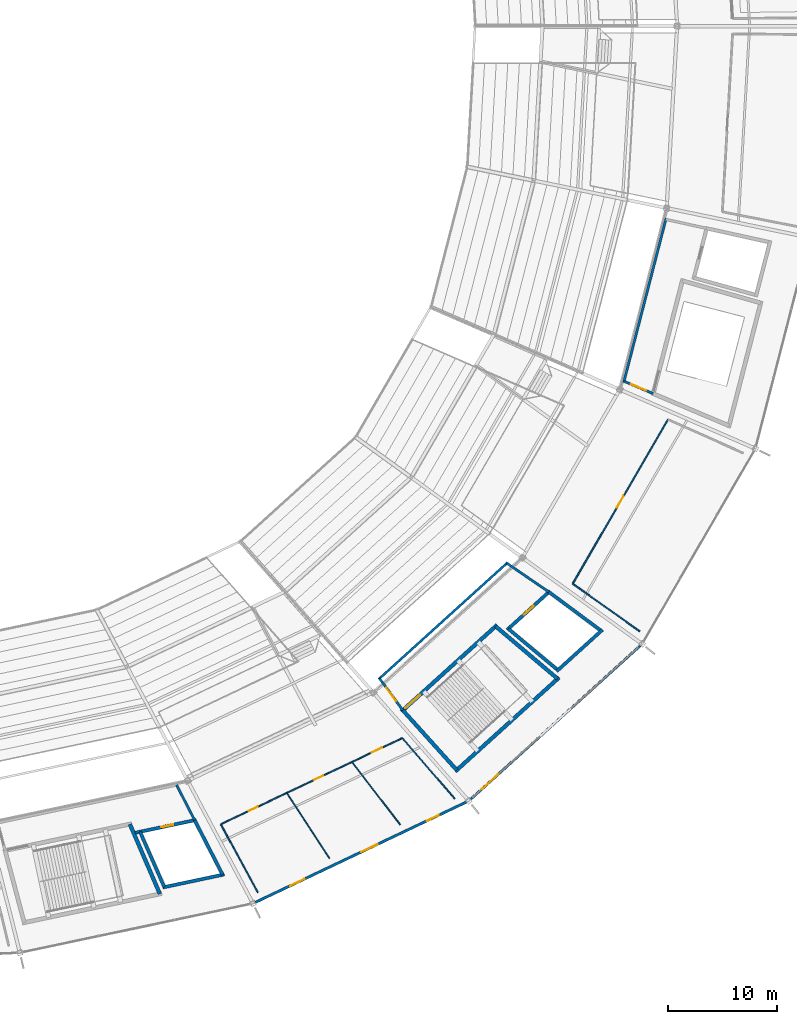
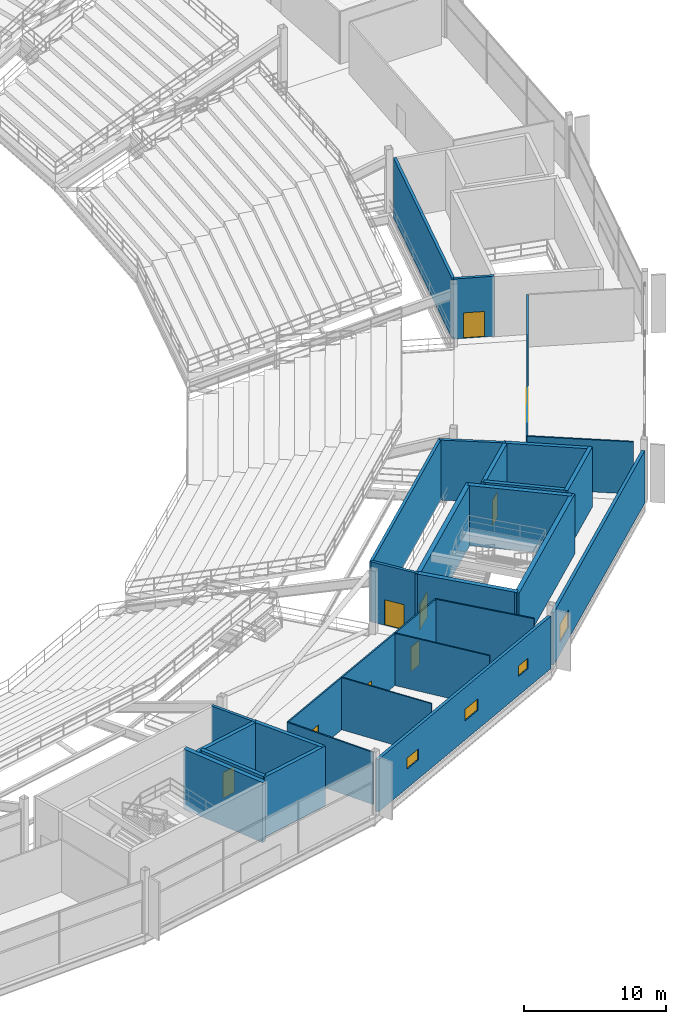
# One storey, part 128 of 186: 28 walls, 9 doors, 4 windows, 13 openings.
"""IFC4 building model written with IfcOpenShell, lengths in metres."""

from ifc_helpers import new_model, si_unit, direction, frame, frame_2d, origin, place, context, subcontext, project, spatial, rectangle, extrude, material, layer, layer_set, type_object, element, fill, save


model = new_model("IFC4")

# Units and contexts
model_context = context("Model", 3, precision=1e-05, world=origin(), true_north=direction((0.0, 1.0)))
body_context = subcontext(model_context, "Body", "Model", "MODEL_VIEW")
ifc_project = project(units=[si_unit("LENGTHUNIT", "METRE"), si_unit("AREAUNIT", "SQUARE_METRE"), si_unit("VOLUMEUNIT", "CUBIC_METRE"), si_unit("PLANEANGLEUNIT", "RADIAN"), si_unit("MASSUNIT", "GRAM", prefix="KILO")], contexts=[model_context])

# Site, building, storey
site_placement = place(None, origin())
site = spatial("IfcSite", under=ifc_project, at=site_placement, CompositionType="ELEMENT")
building_placement = place(site_placement, origin())
building = spatial("IfcBuilding", under=site, at=building_placement, Name="Kazemori Nagisa Stadium", CompositionType="ELEMENT")
storey_placement = place(building_placement, frame((0.0, 0.0, 20.39990234375)))
storey = spatial("IfcBuildingStorey", under=building, at=storey_placement, Name="L04", CompositionType="ELEMENT", Elevation=20.39990234375)

# Wall
ifc_material_1 = material(Name="Concrete C40/50 (Fc42)", Category="concrete")
ifc_layer_1 = layer(ifc_material_1, 0.35009765625, Name="Concrete C40/50 (Fc42)", Category="concrete")
ifc_layer_set_1 = layer_set([ifc_layer_1], Name="Concrete C40/50 (Fc42)")
wall_type_1 = type_object("IfcWallType", Name="Wall_W-CORE-350", PredefinedType="SHEAR", material=ifc_layer_set_1)
wall_1_placement = place(storey_placement, frame((154.5078125, 28.81396484375, 0.0), z_axis=(0.0, 0.0, 1.0), x_axis=(0.395453834155, -0.918485854574, 0.0)))
element("IfcWall", 1, at=wall_1_placement, inside=storey, type_object=wall_type_1, Name="Core stair right shear wall ST06 L04", PredefinedType="SHEAR", context=body_context, shape_type="SweptSolid", body=[
    extrude(rectangle(XDim=6.967529296875, YDim=0.35009765625, at=frame_2d((3.48388671875, 0.0))), origin(), (0.0, 0.0, 1.0), 5.18017578125),
])

# Wall, opening, door
wall_2_placement = place(storey_placement, frame((179.416748046875, 39.139892578125, 0.0), z_axis=(0.0, 0.0, 1.0), x_axis=(0.741348929385, 0.671119784315, 0.0)))
wall_2 = element("IfcWall", 2, at=wall_2_placement, inside=storey, type_object=wall_type_1, Name="Core stair front shear wall ST04 L04", PredefinedType="SHEAR", context=body_context, shape_type="SweptSolid", body=[
    extrude(rectangle(XDim=11.826416015625, YDim=0.35009765625, at=frame_2d((5.9130859375, 0.0))), origin(), (0.0, 0.0, 1.0), 5.18017578125),
])
opening_1_placement = place(wall_2_placement, frame((0.47509765625, 0.0, 0.0)))
opening_1 = element("IfcOpeningElement", 3, at=opening_1_placement, cuts=wall_2, Name="Opening D-ST-1800", PredefinedType="OPENING", context=body_context, shape_type="SweptSolid", body=[
    extrude(rectangle(XDim=1.800048828125, YDim=2.199951171875, at=frame_2d((0.89990234375, 1.10009765625))), frame((0.0, 0.18505859375, 0.0), z_axis=(0.0, -1.0, 0.0), x_axis=(1.0, 0.0, 0.0)), (0.0, 0.0, 1.0), 0.3701171875),
])
ifc_material_2 = material(Name="Galvanised steel sheet", Category="steel")
door_type_1 = type_object("IfcDoorType", Name="Door_D-ST-1800", OperationType="NOTDEFINED", PredefinedType="DOOR", material=ifc_material_2)
door_1_placement = place(opening_1_placement, frame((1.800048828125, 0.0, 0.0), z_axis=(0.0, 0.0, 1.0), x_axis=(-1.0, 0.0, 0.0)))
door_1 = element("IfcDoor", 4, at=door_1_placement, inside=storey, type_object=door_type_1, Name="Exit stair fire door ST04-L04", OperationType="SINGLE_SWING_LEFT", OverallHeight=2.199951171875, OverallWidth=1.800048828125, PredefinedType="DOOR", context=body_context, shape_type="SweptSolid", body=[
    extrude(rectangle(XDim=1.800048828125, YDim=2.199951171875, at=frame_2d((0.89990234375, 1.10009765625))), frame((0.0, 0.02490234375, 0.0), z_axis=(0.0, -1.0, 0.0), x_axis=(1.0, 0.0, 0.0)), (0.0, 0.0, 1.0), 0.050048828125),
])
fill(opening_1, door_1)

# Walls
wall_3_placement = place(storey_placement, frame((184.361328125, 33.6533203125, 0.0), z_axis=(0.0, 0.0, 1.0), x_axis=(0.741351373721, 0.671117084183, 0.0)))
element("IfcWall", 5, at=wall_3_placement, inside=storey, type_object=wall_type_1, Name="Core stair rear shear wall ST04 L04", PredefinedType="SHEAR", context=body_context, shape_type="SweptSolid", body=[
    extrude(rectangle(XDim=12.830322265625, YDim=0.35009765625, at=frame_2d((6.4150390625, 0.0))), origin(), (0.0, 0.0, 1.0), 5.18017578125),
])
wall_4_placement = place(storey_placement, frame((179.54638671875, 39.25732421875, 0.0), z_axis=(0.0, 0.0, 1.0), x_axis=(0.669463145673, -0.742845270958, 0.0)))
element("IfcWall", 6, at=wall_4_placement, inside=storey, type_object=wall_type_1, Name="Core stair left shear wall ST04 L04", PredefinedType="SHEAR", context=body_context, shape_type="SweptSolid", body=[
    extrude(rectangle(XDim=7.385986328125, YDim=0.35009765625, at=frame_2d((3.69287109375, 0.0))), origin(), (0.0, 0.0, 1.0), 5.18017578125),
])
wall_5_placement = place(storey_placement, frame((188.0546875, 46.95947265625, 0.0), z_axis=(0.0, 0.0, 1.0), x_axis=(0.763422324031, -0.64589964791, 0.0)))
element("IfcWall", 7, at=wall_5_placement, inside=storey, type_object=wall_type_1, Name="Core stair right shear wall ST04 L04", PredefinedType="SHEAR", context=body_context, shape_type="SweptSolid", body=[
    extrude(rectangle(XDim=7.45166015625, YDim=0.35009765625, at=frame_2d((3.725830078125, 0.0))), origin(), (0.0, 0.0, 1.0), 5.18017578125),
])

# Wall, openings, windows
ifc_material_3 = material(Name="Steel S355 (SN490B)", Category="steel")
ifc_layer_2 = layer(ifc_material_3, 0.239990234375, Name="Steel S355 (SN490B)", Category="steel")
ifc_layer_set_2 = layer_set([ifc_layer_2], Name="Steel S355 (SN490B)")
wall_type_2 = type_object("IfcWallType", Name="Wall_W-EXT-240", PredefinedType="SOLIDWALL", material=ifc_layer_set_2)
wall_6_placement = place(storey_placement, frame((166.00341796875, 21.630126953125, 0.0), z_axis=(0.0, 0.0, 1.0), x_axis=(0.90321305417, 0.42919247288, 0.0)))
wall_6 = element("IfcWall", 8, at=wall_6_placement, inside=storey, type_object=wall_type_2, Name="Exterior facade wall L04-24", PredefinedType="SOLIDWALL", context=body_context, shape_type="SweptSolid", body=[
    extrude(rectangle(XDim=21.47412109375, YDim=0.239990234375, at=frame_2d((10.737060546875, 0.0))), origin(), (0.0, 0.0, 1.0), 4.530029296875),
])
opening_2_placement = place(wall_6_placement, frame((3.570068359375, 0.0, 1.64990234375)))
opening_2 = element("IfcOpeningElement", 9, at=opening_2_placement, cuts=wall_6, Name="Opening WIN-WC-1450", PredefinedType="OPENING", context=body_context, shape_type="SweptSolid", body=[
    extrude(rectangle(XDim=1.449951171875, YDim=0.949951171875, at=frame_2d((0.72509765625, 0.47509765625))), frame((0.0, 0.1298828125, 0.0), z_axis=(0.0, -1.0, 0.0), x_axis=(1.0, 0.0, 0.0)), (0.0, 0.0, 1.0), 0.260009765625),
])
opening_3_placement = place(wall_6_placement, frame((10.77099609375, 0.0, 1.64990234375)))
opening_3 = element("IfcOpeningElement", 10, at=opening_3_placement, cuts=wall_6, Name="Opening WIN-WC-1650", PredefinedType="OPENING", context=body_context, shape_type="SweptSolid", body=[
    extrude(rectangle(XDim=1.64990234375, YDim=1.0, at=frame_2d((0.824951171875, 0.5))), frame((0.0, 0.1298828125, 0.0), z_axis=(0.0, -1.0, 0.0), x_axis=(1.0, 0.0, 0.0)), (0.0, 0.0, 1.0), 0.260009765625),
])
opening_4_placement = place(wall_6_placement, frame((17.43798828125, 0.0, 1.64990234375)))
opening_4 = element("IfcOpeningElement", 11, at=opening_4_placement, cuts=wall_6, Name="Opening WIN-WC-1200", PredefinedType="OPENING", context=body_context, shape_type="SweptSolid", body=[
    extrude(rectangle(XDim=1.199951171875, YDim=0.89990234375, at=frame_2d((0.60009765625, 0.449951171875))), frame((0.0, 0.1298828125, 0.0), z_axis=(0.0, -1.0, 0.0), x_axis=(1.0, 0.0, 0.0)), (0.0, 0.0, 1.0), 0.260009765625),
])
ifc_material_4 = material(Name="Low-e laminated double glazing", Category="glass")
window_type_1 = type_object("IfcWindowType", Name="Window_WIN-WC-1200", PartitioningType="SINGLE_PANEL", PredefinedType="WINDOW", material=ifc_material_4)
window_1_placement = place(opening_4_placement, origin())
window_1 = element("IfcWindow", 12, at=window_1_placement, inside=storey, type_object=window_type_1, Name="Sanitary clerestory window L04-24-3", OverallHeight=0.89990234375, OverallWidth=1.199951171875, PartitioningType="SINGLE_PANEL", PredefinedType="WINDOW", context=body_context, shape_type="SweptSolid", body=[
    extrude(rectangle(XDim=1.199951171875, YDim=0.89990234375, at=frame_2d((0.60009765625, 0.449951171875))), frame((0.0, 0.030029296875, 0.0), z_axis=(0.0, -1.0, 0.0), x_axis=(1.0, 0.0, 0.0)), (0.0, 0.0, 1.0), 0.06005859375),
])
fill(opening_4, window_1)
window_type_2 = type_object("IfcWindowType", Name="Window_WIN-WC-1450", PartitioningType="SINGLE_PANEL", PredefinedType="WINDOW", material=ifc_material_4)
window_2_placement = place(opening_2_placement, origin())
window_2 = element("IfcWindow", 13, at=window_2_placement, inside=storey, type_object=window_type_2, Name="Sanitary clerestory window L04-24-1", OverallHeight=0.949951171875, OverallWidth=1.449951171875, PartitioningType="SINGLE_PANEL", PredefinedType="WINDOW", context=body_context, shape_type="SweptSolid", body=[
    extrude(rectangle(XDim=1.449951171875, YDim=0.949951171875, at=frame_2d((0.72509765625, 0.47509765625))), frame((0.0, 0.030029296875, 0.0), z_axis=(0.0, -1.0, 0.0), x_axis=(1.0, 0.0, 0.0)), (0.0, 0.0, 1.0), 0.06005859375),
])
fill(opening_2, window_2)
window_type_3 = type_object("IfcWindowType", Name="Window_WIN-WC-1650", PartitioningType="SINGLE_PANEL", PredefinedType="WINDOW", material=ifc_material_4)
window_3_placement = place(opening_3_placement, origin())
window_3 = element("IfcWindow", 14, at=window_3_placement, inside=storey, type_object=window_type_3, Name="Sanitary clerestory window L04-24-2", OverallHeight=1.0, OverallWidth=1.64990234375, PartitioningType="SINGLE_PANEL", PredefinedType="WINDOW", context=body_context, shape_type="SweptSolid", body=[
    extrude(rectangle(XDim=1.64990234375, YDim=1.0, at=frame_2d((0.824951171875, 0.5))), frame((0.0, 0.030029296875, 0.0), z_axis=(0.0, -1.0, 0.0), x_axis=(1.0, 0.0, 0.0)), (0.0, 0.0, 1.0), 0.06005859375),
])
fill(opening_3, window_3)

# Wall, opening, window
wall_7_placement = place(storey_placement, frame((185.760986328125, 31.088623046875, 0.0), z_axis=(0.0, 0.0, 1.0), x_axis=(0.741349049196, 0.671119651967, 0.0)))
wall_7 = element("IfcWall", 15, at=wall_7_placement, inside=storey, type_object=wall_type_2, Name="Exterior facade wall L04-25", PredefinedType="SOLIDWALL", context=body_context, shape_type="SweptSolid", body=[
    extrude(rectangle(XDim=21.00390625, YDim=0.239990234375, at=frame_2d((10.501953125, 0.0))), origin(), (0.0, 0.0, 1.0), 4.530029296875),
])
opening_5_placement = place(wall_7_placement, frame((1.39990234375, 0.0, 1.0)))
opening_5 = element("IfcOpeningElement", 16, at=opening_5_placement, cuts=wall_7, Name="Opening WIN-L04-2000", PredefinedType="OPENING", context=body_context, shape_type="SweptSolid", body=[
    extrude(rectangle(XDim=2.0, YDim=1.550048828125, at=frame_2d((1.0, 0.77490234375))), frame((0.0, 0.1298828125, 0.0), z_axis=(0.0, -1.0, 0.0), x_axis=(1.0, 0.0, 0.0)), (0.0, 0.0, 1.0), 0.260009765625),
])
window_type_4 = type_object("IfcWindowType", Name="Window_WIN-L04-2000", PartitioningType="SINGLE_PANEL", PredefinedType="WINDOW", material=ifc_material_4)
window_4_placement = place(opening_5_placement, origin())
window_4 = element("IfcWindow", 17, at=window_4_placement, inside=storey, type_object=window_type_4, Name="Core lobby window L04-25", OverallHeight=1.550048828125, OverallWidth=2.0, PartitioningType="SINGLE_PANEL", PredefinedType="WINDOW", context=body_context, shape_type="SweptSolid", body=[
    extrude(rectangle(XDim=2.0, YDim=1.550048828125, at=frame_2d((1.0, 0.77490234375))), frame((0.0, 0.030029296875, 0.0), z_axis=(0.0, -1.0, 0.0), x_axis=(1.0, 0.0, 0.0)), (0.0, 0.0, 1.0), 0.06005859375),
])
fill(opening_5, window_4)

# Walls
ifc_material_5 = material(Name="Concrete C36/45 (Fc36)", Category="concrete")
ifc_layer_3 = layer(ifc_material_5, 0.219970703125, Name="Concrete C36/45 (Fc36)", Category="concrete")
ifc_layer_set_3 = layer_set([ifc_layer_3], Name="Concrete C36/45 (Fc36)")
wall_type_3 = type_object("IfcWallType", Name="Wall_W-LOBBY-220", PredefinedType="SOLIDWALL", material=ifc_layer_set_3)
wall_8_placement = place(storey_placement, frame((158.7919921875, 32.406005859375, 0.0), z_axis=(0.0, 0.0, 1.0), x_axis=(0.457349531643, -0.889287021105, 0.0)))
element("IfcWall", 18, at=wall_8_placement, inside=storey, type_object=wall_type_3, Name="Core lobby right wall ST06 L04", PredefinedType="SOLIDWALL", context=body_context, shape_type="SweptSolid", body=[
    extrude(rectangle(XDim=3.631591796875, YDim=0.219970703125, at=frame_2d((1.81591796875, 0.0))), origin(), (0.0, 0.0, 1.0), 5.18017578125),
])
wall_9_placement = place(storey_placement, frame((177.327392578125, 42.10205078125, 0.0), z_axis=(0.0, 0.0, 1.0), x_axis=(0.741351035574, 0.671117457717, 0.0)))
element("IfcWall", 19, at=wall_9_placement, inside=storey, type_object=wall_type_3, Name="Core lobby fire wall ST04 L04", PredefinedType="SOLIDWALL", context=body_context, shape_type="SweptSolid", body=[
    extrude(rectangle(XDim=15.96923828125, YDim=0.219970703125, at=frame_2d((7.984619140625, 0.0))), origin(), (0.0, 0.0, 1.0), 5.18017578125),
])

# Wall, opening, door
wall_10_placement = place(storey_placement, frame((177.408935546875, 42.176025390625, 0.0), z_axis=(0.0, 0.0, 1.0), x_axis=(0.590836915359, -0.806791013491, 0.0)))
wall_10 = element("IfcWall", 20, at=wall_10_placement, inside=storey, type_object=wall_type_3, Name="Core lobby left wall ST04 L04", PredefinedType="SOLIDWALL", context=body_context, shape_type="SweptSolid", body=[
    extrude(rectangle(XDim=3.61767578125, YDim=0.219970703125, at=frame_2d((1.808837890625, 0.0))), origin(), (0.0, 0.0, 1.0), 5.18017578125),
])
opening_6_placement = place(wall_10_placement, frame((1.05908203125, 0.0, 0.0)))
opening_6 = element("IfcOpeningElement", 21, at=opening_6_placement, cuts=wall_10, Name="Opening D-FFL-1500", PredefinedType="OPENING", context=body_context, shape_type="SweptSolid", body=[
    extrude(rectangle(XDim=1.5, YDim=2.199951171875, at=frame_2d((0.75, 1.10009765625))), frame((0.0, 0.119873046875, 0.0), z_axis=(0.0, -1.0, 0.0), x_axis=(1.0, 0.0, 0.0)), (0.0, 0.0, 1.0), 0.239990234375),
])
door_type_2 = type_object("IfcDoorType", Name="Door_D-FFL-1500", OperationType="NOTDEFINED", PredefinedType="DOOR", material=ifc_material_2)
door_2_placement = place(opening_6_placement, frame((1.5, 0.0, 0.0), z_axis=(0.0, 0.0, 1.0), x_axis=(-1.0, 0.0, 0.0)))
door_2 = element("IfcDoor", 22, at=door_2_placement, inside=storey, type_object=door_type_2, Name="Protected lobby fire door ST04-L04", OperationType="DOUBLE_DOOR_SINGLE_SWING", OverallHeight=2.199951171875, OverallWidth=1.5, PredefinedType="DOOR", context=body_context, shape_type="SweptSolid", body=[
    extrude(rectangle(XDim=1.5, YDim=2.199951171875, at=frame_2d((0.75, 1.10009765625))), frame((0.0, 0.02490234375, 0.0), z_axis=(0.0, -1.0, 0.0), x_axis=(1.0, 0.0, 0.0)), (0.0, 0.0, 1.0), 0.050048828125),
])
fill(opening_6, door_2)

# Walls
wall_11_placement = place(storey_placement, frame((189.084716796875, 52.74560546875, 0.0), z_axis=(0.0, 0.0, 1.0), x_axis=(0.825385410642, -0.564569680287, 0.0)))
element("IfcWall", 23, at=wall_11_placement, inside=storey, type_object=wall_type_3, Name="Core lobby right wall ST04 L04", PredefinedType="SOLIDWALL", context=body_context, shape_type="SweptSolid", body=[
    extrude(rectangle(XDim=4.673828125, YDim=0.219970703125, at=frame_2d((2.3369140625, 0.0))), origin(), (0.0, 0.0, 1.0), 5.18017578125),
])
wall_12_placement = place(storey_placement, frame((199.806640625, 69.325439453125, 0.0), z_axis=(0.0, 0.0, 1.0), x_axis=(0.249963472505, 0.968255267176, 0.0)))
element("IfcWall", 24, at=wall_12_placement, inside=storey, type_object=wall_type_3, Name="Core lobby fire wall ST10 L04", PredefinedType="SOLIDWALL", context=body_context, shape_type="SweptSolid", body=[
    extrude(rectangle(XDim=15.552978515625, YDim=0.219970703125, at=frame_2d((7.7763671875, 0.0))), origin(), (0.0, 0.0, 1.0), 5.18017578125),
])

# Wall, opening, door
wall_13_placement = place(storey_placement, frame((199.834228515625, 69.431884765625, 0.0), z_axis=(0.0, 0.0, 1.0), x_axis=(0.920711790761, -0.390243255361, 0.0)))
wall_13 = element("IfcWall", 25, at=wall_13_placement, inside=storey, type_object=wall_type_3, Name="Core lobby left wall ST10 L04", PredefinedType="SOLIDWALL", context=body_context, shape_type="SweptSolid", body=[
    extrude(rectangle(XDim=2.904052734375, YDim=0.219970703125, at=frame_2d((1.4521484375, 0.0))), origin(), (0.0, 0.0, 1.0), 5.18017578125),
])
opening_7_placement = place(wall_13_placement, frame((0.701904296875, 0.0, 0.0)))
opening_7 = element("IfcOpeningElement", 26, at=opening_7_placement, cuts=wall_13, Name="Opening D-FFL-1500", PredefinedType="OPENING", context=body_context, shape_type="SweptSolid", body=[
    extrude(rectangle(XDim=1.5, YDim=2.199951171875, at=frame_2d((0.75, 1.10009765625))), frame((0.0, 0.119873046875, 0.0), z_axis=(0.0, -1.0, 0.0), x_axis=(1.0, 0.0, 0.0)), (0.0, 0.0, 1.0), 0.239990234375),
])
door_3_placement = place(opening_7_placement, frame((1.5, 0.0, 0.0), z_axis=(0.0, 0.0, 1.0), x_axis=(-1.0, 0.0, 0.0)))
door_3 = element("IfcDoor", 27, at=door_3_placement, inside=storey, type_object=door_type_2, Name="Protected lobby fire door ST10-L04", OperationType="DOUBLE_DOOR_SINGLE_SWING", OverallHeight=2.199951171875, OverallWidth=1.5, PredefinedType="DOOR", context=body_context, shape_type="SweptSolid", body=[
    extrude(rectangle(XDim=1.5, YDim=2.199951171875, at=frame_2d((0.75, 1.10009765625))), frame((0.0, 0.02490234375, 0.0), z_axis=(0.0, -1.0, 0.0), x_axis=(1.0, 0.0, 0.0)), (0.0, 0.0, 1.0), 0.050048828125),
])
fill(opening_7, door_3)

# Walls
ifc_material_6 = material(Name="High-pressure phenolic compact laminate", Category="gypsum")
ifc_layer_4 = layer(ifc_material_6, 0.10009765625, Name="High-pressure phenolic compact laminate", Category="gypsum")
ifc_layer_set_4 = layer_set([ifc_layer_4], Name="High-pressure phenolic compact laminate")
wall_type_4 = type_object("IfcWallType", Name="Wall_W-PART-100", PredefinedType="PARTITIONING", material=ifc_layer_set_4)
wall_14_placement = place(storey_placement, frame((168.905517578125, 31.67822265625, 0.0), z_axis=(0.0, 0.0, 1.0), x_axis=(0.546624159771, -0.837378067515, 0.0)))
element("IfcWall", 28, at=wall_14_placement, inside=storey, type_object=wall_type_4, Name="Sanitary divider partition L04-B24-1", PredefinedType="PARTITIONING", context=body_context, shape_type="SweptSolid", body=[
    extrude(rectangle(XDim=7.166748046875, YDim=0.10009765625, at=frame_2d((3.58349609375, 0.0))), origin(), (0.0, 0.0, 1.0), 4.5),
])
wall_15_placement = place(storey_placement, frame((174.880615234375, 34.517578125, 0.0), z_axis=(0.0, 0.0, 1.0), x_axis=(0.609491469693, -0.792792626335, 0.0)))
element("IfcWall", 29, at=wall_15_placement, inside=storey, type_object=wall_type_4, Name="Sanitary divider partition L04-B24-2", PredefinedType="PARTITIONING", context=body_context, shape_type="SweptSolid", body=[
    extrude(rectangle(XDim=7.26416015625, YDim=0.10009765625, at=frame_2d((3.632080078125, 0.0))), origin(), (0.0, 0.0, 1.0), 4.5),
])

# Wall, openings, doors
ifc_material_7 = material(Name="Moisture-resistant gypsum board", Category="gypsum")
ifc_layer_5 = layer(ifc_material_7, 0.114990234375, Name="Moisture-resistant gypsum board", Category="gypsum")
ifc_layer_set_5 = layer_set([ifc_layer_5], Name="Moisture-resistant gypsum board")
wall_type_5 = type_object("IfcWallType", Name="Wall_W-PART-115", PredefinedType="PARTITIONING", material=ifc_layer_set_5)
wall_16_placement = place(storey_placement, frame((162.84716796875, 28.799560546875, 0.0), z_axis=(0.0, 0.0, 1.0), x_axis=(0.90321677741, 0.429184637429, 0.0)))
wall_16 = element("IfcWall", 30, at=wall_16_placement, inside=storey, type_object=wall_type_5, Name="Sanitary block corridor partition L04-B24", PredefinedType="PARTITIONING", context=body_context, shape_type="SweptSolid", body=[
    extrude(rectangle(XDim=18.42724609375, YDim=0.114990234375, at=frame_2d((9.213623046875, 0.0))), origin(), (0.0, 0.0, 1.0), 4.5),
])
opening_8_placement = place(wall_16_placement, frame((2.866943359375, 0.0, 0.0)))
opening_8 = element("IfcOpeningElement", 31, at=opening_8_placement, cuts=wall_16, Name="Opening D-WC-900", PredefinedType="OPENING", context=body_context, shape_type="SweptSolid", body=[
    extrude(rectangle(XDim=0.89990234375, YDim=2.10009765625, at=frame_2d((0.449951171875, 1.050048828125))), frame((0.0, 0.0673828125, 0.0), z_axis=(0.0, -1.0, 0.0), x_axis=(1.0, 0.0, 0.0)), (0.0, 0.0, 1.0), 0.135009765625),
])
opening_9_placement = place(wall_16_placement, frame((9.5009765625, 0.0, 0.0)))
opening_9 = element("IfcOpeningElement", 32, at=opening_9_placement, cuts=wall_16, Name="Opening D-WC-900", PredefinedType="OPENING", context=body_context, shape_type="SweptSolid", body=[
    extrude(rectangle(XDim=0.89990234375, YDim=2.10009765625, at=frame_2d((0.449951171875, 1.050048828125))), frame((0.0, 0.0673828125, 0.0), z_axis=(0.0, -1.0, 0.0), x_axis=(1.0, 0.0, 0.0)), (0.0, 0.0, 1.0), 0.135009765625),
])
opening_10_placement = place(wall_16_placement, frame((15.322021484375, 0.0, 0.0)))
opening_10 = element("IfcOpeningElement", 33, at=opening_10_placement, cuts=wall_16, Name="Opening D-AWC-1050", PredefinedType="OPENING", context=body_context, shape_type="SweptSolid", body=[
    extrude(rectangle(XDim=1.050048828125, YDim=2.10009765625, at=frame_2d((0.52490234375, 1.050048828125))), frame((0.0, 0.0673828125, 0.0), z_axis=(0.0, -1.0, 0.0), x_axis=(1.0, 0.0, 0.0)), (0.0, 0.0, 1.0), 0.135009765625),
])
ifc_material_8 = material(Name="High-pressure laminate on timber core", Category="wood")
door_type_3 = type_object("IfcDoorType", Name="Door_D-AWC-1050", OperationType="NOTDEFINED", PredefinedType="DOOR", material=ifc_material_8)
door_4_placement = place(opening_10_placement, origin())
door_4 = element("IfcDoor", 34, at=door_4_placement, inside=storey, type_object=door_type_3, Name="AWC entrance door L04-B24", OperationType="SINGLE_SWING_RIGHT", OverallHeight=2.10009765625, OverallWidth=1.050048828125, PredefinedType="DOOR", context=body_context, shape_type="SweptSolid", body=[
    extrude(rectangle(XDim=1.050048828125, YDim=2.10009765625, at=frame_2d((0.52490234375, 1.050048828125))), frame((0.0, 0.02490234375, 0.0), z_axis=(0.0, -1.0, 0.0), x_axis=(1.0, 0.0, 0.0)), (0.0, 0.0, 1.0), 0.050048828125),
])
fill(opening_10, door_4)
door_type_4 = type_object("IfcDoorType", Name="Door_D-WC-900", OperationType="NOTDEFINED", PredefinedType="DOOR", material=ifc_material_8)
door_5_placement = place(opening_8_placement, origin())
door_5 = element("IfcDoor", 35, at=door_5_placement, inside=storey, type_object=door_type_4, Name="MWC entrance door L04-B24", OperationType="SINGLE_SWING_RIGHT", OverallHeight=2.10009765625, OverallWidth=0.89990234375, PredefinedType="DOOR", context=body_context, shape_type="SweptSolid", body=[
    extrude(rectangle(XDim=0.89990234375, YDim=2.10009765625, at=frame_2d((0.449951171875, 1.050048828125))), frame((0.0, 0.02490234375, 0.0), z_axis=(0.0, -1.0, 0.0), x_axis=(1.0, 0.0, 0.0)), (0.0, 0.0, 1.0), 0.050048828125),
])
fill(opening_8, door_5)
door_6_placement = place(opening_9_placement, origin())
door_6 = element("IfcDoor", 36, at=door_6_placement, inside=storey, type_object=door_type_4, Name="FWC entrance door L04-B24", OperationType="SINGLE_SWING_LEFT", OverallHeight=2.10009765625, OverallWidth=0.89990234375, PredefinedType="DOOR", context=body_context, shape_type="SweptSolid", body=[
    extrude(rectangle(XDim=0.89990234375, YDim=2.10009765625, at=frame_2d((0.449951171875, 1.050048828125))), frame((0.0, 0.02490234375, 0.0), z_axis=(0.0, -1.0, 0.0), x_axis=(1.0, 0.0, 0.0)), (0.0, 0.0, 1.0), 0.050048828125),
])
fill(opening_9, door_6)

# Walls
wall_17_placement = place(storey_placement, frame((162.84716796875, 28.799560546875, 0.0), z_axis=(0.0, 0.0, 1.0), x_axis=(0.47812325427, -0.878292749444, 0.0)))
element("IfcWall", 37, at=wall_17_placement, inside=storey, type_object=wall_type_5, Name="Sanitary block L partition L04-B24", PredefinedType="PARTITIONING", context=body_context, shape_type="SweptSolid", body=[
    extrude(rectangle(XDim=7.112548828125, YDim=0.114990234375, at=frame_2d((3.55615234375, 0.0))), origin(), (0.0, 0.0, 1.0), 4.5),
])
wall_18_placement = place(storey_placement, frame((179.490966796875, 36.708251953125, 0.0), z_axis=(0.0, 0.0, 1.0), x_axis=(0.654288201841, -0.7562452968, 0.0)))
element("IfcWall", 38, at=wall_18_placement, inside=storey, type_object=wall_type_5, Name="Sanitary block R partition L04-B24", PredefinedType="PARTITIONING", context=body_context, shape_type="SweptSolid", body=[
    extrude(rectangle(XDim=7.367919921875, YDim=0.114990234375, at=frame_2d((3.68408203125, 0.0))), origin(), (0.0, 0.0, 1.0), 4.5),
])

# Wall, opening, door
ifc_material_9 = material(Name="Gypsum plasterboard", Category="gypsum")
ifc_layer_6 = layer(ifc_material_9, 0.125, Name="Gypsum plasterboard", Category="gypsum")
ifc_layer_set_6 = layer_set([ifc_layer_6], Name="Gypsum plasterboard")
wall_type_6 = type_object("IfcWallType", Name="Wall_W-PART-125", PredefinedType="PARTITIONING", material=ifc_layer_set_6)
wall_19_placement = place(storey_placement, frame((195.12451171875, 50.86083984375, 0.0), z_axis=(0.0, 0.0, 1.0), x_axis=(0.501622425841, 0.865086667273, 0.0)))
wall_19 = element("IfcWall", 39, at=wall_19_placement, inside=storey, type_object=wall_type_6, Name="Room corridor partition L04-B26", PredefinedType="PARTITIONING", context=body_context, shape_type="SweptSolid", body=[
    extrude(rectangle(XDim=17.416748046875, YDim=0.125, at=frame_2d((8.70849609375, 0.0))), origin(), (0.0, 0.0, 1.0), 4.5),
])
opening_11_placement = place(wall_19_placement, frame((8.097900390625, 0.0, 0.0)))
opening_11 = element("IfcOpeningElement", 40, at=opening_11_placement, cuts=wall_19, Name="Opening D-BEV-1220", PredefinedType="OPENING", context=body_context, shape_type="SweptSolid", body=[
    extrude(rectangle(XDim=1.219970703125, YDim=2.14990234375, at=frame_2d((0.60986328125, 1.074951171875))), frame((0.0, 0.072509765625, 0.0), z_axis=(0.0, -1.0, 0.0), x_axis=(1.0, 0.0, 0.0)), (0.0, 0.0, 1.0), 0.14501953125),
])
ifc_material_10 = material(Name="Anodised aluminium 6063-T5", Category="aluminium")
door_type_5 = type_object("IfcDoorType", Name="Door_D-BEV-1220", OperationType="NOTDEFINED", PredefinedType="DOOR", material=ifc_material_10)
door_7_placement = place(opening_11_placement, origin())
door_7 = element("IfcDoor", 41, at=door_7_placement, inside=storey, type_object=door_type_5, Name="Room entrance door D-BEV-1220 L04-B26", OperationType="SINGLE_SWING_LEFT", OverallHeight=2.14990234375, OverallWidth=1.219970703125, PredefinedType="DOOR", context=body_context, shape_type="SweptSolid", body=[
    extrude(rectangle(XDim=1.219970703125, YDim=2.14990234375, at=frame_2d((0.60986328125, 1.074951171875))), frame((0.0, 0.02490234375, 0.0), z_axis=(0.0, -1.0, 0.0), x_axis=(1.0, 0.0, 0.0)), (0.0, 0.0, 1.0), 0.050048828125),
])
fill(opening_11, door_7)

# Wall
wall_20_placement = place(storey_placement, frame((195.12451171875, 50.86083984375, 0.0), z_axis=(0.0, 0.0, 1.0), x_axis=(0.815757317426, -0.578394328348, 0.0)))
element("IfcWall", 42, at=wall_20_placement, inside=storey, type_object=wall_type_6, Name="Room radial partition L04-B26-L", PredefinedType="PARTITIONING", context=body_context, shape_type="SweptSolid", body=[
    extrude(rectangle(XDim=7.54541015625, YDim=0.125, at=frame_2d((3.772705078125, 0.0))), origin(), (0.0, 0.0, 1.0), 4.5),
])

# Wall, opening, door
ifc_layer_7 = layer(ifc_material_1, 0.300048828125, Name="Concrete C40/50 (Fc42)", Category="concrete")
ifc_layer_set_7 = layer_set([ifc_layer_7], Name="Concrete C40/50 (Fc42)")
wall_type_7 = type_object("IfcWallType", Name="Wall_W-SHAFT-300", PredefinedType="SHEAR", material=ifc_layer_set_7)
wall_21_placement = place(storey_placement, frame((154.999267578125, 28.022705078125, 0.0), z_axis=(0.0, 0.0, 1.0), x_axis=(0.978345218992, 0.206979787601, 0.0)))
wall_21 = element("IfcWall", 43, at=wall_21_placement, inside=storey, type_object=wall_type_7, Name="Lift shaft front wall LP2 L04", PredefinedType="SHEAR", context=body_context, shape_type="SweptSolid", body=[
    extrude(rectangle(XDim=5.724365234375, YDim=0.300048828125, at=frame_2d((2.8623046875, 0.0))), origin(), (0.0, 0.0, 1.0), 5.18017578125),
])
opening_12_placement = place(wall_21_placement, frame((2.4619140625, 0.0, 0.0)))
opening_12 = element("IfcOpeningElement", 44, at=opening_12_placement, cuts=wall_21, Name="Opening LD-PAX", PredefinedType="OPENING", context=body_context, shape_type="SweptSolid", body=[
    extrude(rectangle(XDim=1.10009765625, YDim=2.199951171875, at=frame_2d((0.550048828125, 1.10009765625))), frame((0.0, 0.159912109375, 0.0), z_axis=(0.0, -1.0, 0.0), x_axis=(1.0, 0.0, 0.0)), (0.0, 0.0, 1.0), 0.320068359375),
])
ifc_material_11 = material(Name="Stainless steel SUS304", Category="steel")
door_type_6 = type_object("IfcDoorType", Name="Door_LD-PAX", OperationType="SLIDING_TO_RIGHT", PredefinedType="DOOR", material=ifc_material_11)
door_8_placement = place(opening_12_placement, origin())
door_8 = element("IfcDoor", 45, at=door_8_placement, inside=storey, type_object=door_type_6, Name="Lift landing door LP2-L04", OperationType="SLIDING_TO_RIGHT", OverallHeight=2.199951171875, OverallWidth=1.10009765625, PredefinedType="DOOR", context=body_context, shape_type="SweptSolid", body=[
    extrude(rectangle(XDim=1.10009765625, YDim=2.199951171875, at=frame_2d((0.550048828125, 1.10009765625))), frame((0.0, 0.02490234375, 0.0), z_axis=(0.0, -1.0, 0.0), x_axis=(1.0, 0.0, 0.0)), (0.0, 0.0, 1.0), 0.050048828125),
])
fill(opening_12, door_8)

# Walls
wall_22_placement = place(storey_placement, frame((157.522705078125, 23.00634765625, 0.0), z_axis=(0.0, 0.0, 1.0), x_axis=(0.978347069901, 0.206971038591, 0.0)))
element("IfcWall", 46, at=wall_22_placement, inside=storey, type_object=wall_type_7, Name="Lift shaft B wall LP2 L04", PredefinedType="SHEAR", context=body_context, shape_type="SweptSolid", body=[
    extrude(rectangle(XDim=5.7763671875, YDim=0.300048828125, at=frame_2d((2.88818359375, 0.0))), origin(), (0.0, 0.0, 1.0), 5.18017578125),
])
wall_23_placement = place(storey_placement, frame((155.439697265625, 28.115966796875, 0.0), z_axis=(0.0, 0.0, 1.0), x_axis=(0.402005363577, -0.915637312289, 0.0)))
element("IfcWall", 47, at=wall_23_placement, inside=storey, type_object=wall_type_7, Name="Lift shaft L wall LP2 L04", PredefinedType="SHEAR", context=body_context, shape_type="SweptSolid", body=[
    extrude(rectangle(XDim=5.546630859375, YDim=0.300048828125, at=frame_2d((2.7734375, 0.0))), origin(), (0.0, 0.0, 1.0), 5.18017578125),
])
wall_24_placement = place(storey_placement, frame((160.452880859375, 29.176513671875, 0.0), z_axis=(0.0, 0.0, 1.0), x_axis=(0.457368592987, -0.889277217829, 0.0)))
element("IfcWall", 48, at=wall_24_placement, inside=storey, type_object=wall_type_7, Name="Lift shaft R wall LP2 L04", PredefinedType="SHEAR", context=body_context, shape_type="SweptSolid", body=[
    extrude(rectangle(XDim=5.62890625, YDim=0.300048828125, at=frame_2d((2.814453125, 0.0))), origin(), (0.0, 0.0, 1.0), 5.18017578125),
])

# Wall, opening, door
wall_25_placement = place(storey_placement, frame((189.10302734375, 46.631103515625, 0.0), z_axis=(0.0, 0.0, 1.0), x_axis=(0.741350155641, 0.671118429736, 0.0)))
wall_25 = element("IfcWall", 49, at=wall_25_placement, inside=storey, type_object=wall_type_7, Name="Lift shaft front wall FL4 L04", PredefinedType="SHEAR", context=body_context, shape_type="SweptSolid", body=[
    extrude(rectangle(XDim=5.3291015625, YDim=0.300048828125, at=frame_2d((2.66455078125, 0.0))), origin(), (0.0, 0.0, 1.0), 5.18017578125),
])
opening_13_placement = place(wall_25_placement, frame((2.06494140625, 0.0, 0.0)))
opening_13 = element("IfcOpeningElement", 50, at=opening_13_placement, cuts=wall_25, Name="Opening LD-FF", PredefinedType="OPENING", context=body_context, shape_type="SweptSolid", body=[
    extrude(rectangle(XDim=1.199951171875, YDim=2.199951171875, at=frame_2d((0.60009765625, 1.10009765625))), frame((0.0, 0.159912109375, 0.0), z_axis=(0.0, -1.0, 0.0), x_axis=(1.0, 0.0, 0.0)), (0.0, 0.0, 1.0), 0.320068359375),
])
door_type_7 = type_object("IfcDoorType", Name="Door_LD-FF", OperationType="SLIDING_TO_LEFT", PredefinedType="DOOR", material=ifc_material_11)
door_9_placement = place(opening_13_placement, origin())
door_9 = element("IfcDoor", 51, at=door_9_placement, inside=storey, type_object=door_type_7, Name="Lift landing door FL4-L04", OperationType="SLIDING_TO_LEFT", OverallHeight=2.199951171875, OverallWidth=1.199951171875, PredefinedType="DOOR", context=body_context, shape_type="SweptSolid", body=[
    extrude(rectangle(XDim=1.199951171875, YDim=2.199951171875, at=frame_2d((0.60009765625, 1.10009765625))), frame((0.0, 0.02490234375, 0.0), z_axis=(0.0, -1.0, 0.0), x_axis=(1.0, 0.0, 0.0)), (0.0, 0.0, 1.0), 0.050048828125),
])
fill(opening_13, door_9)

# Walls
wall_26_placement = place(storey_placement, frame((193.654296875, 42.832275390625, 0.0), z_axis=(0.0, 0.0, 1.0), x_axis=(0.74134208775, 0.671127341815, 0.0)))
element("IfcWall", 52, at=wall_26_placement, inside=storey, type_object=wall_type_7, Name="Lift shaft B wall FL4 L04", PredefinedType="SHEAR", context=body_context, shape_type="SweptSolid", body=[
    extrude(rectangle(XDim=5.674560546875, YDim=0.300048828125, at=frame_2d((2.83740234375, 0.0))), origin(), (0.0, 0.0, 1.0), 5.18017578125),
])
wall_27_placement = place(storey_placement, frame((189.214111328125, 46.73193359375, 0.0), z_axis=(0.0, 0.0, 1.0), x_axis=(0.767711354146, -0.640795815151, 0.0)))
element("IfcWall", 53, at=wall_27_placement, inside=storey, type_object=wall_type_7, Name="Lift shaft L wall FL4 L04", PredefinedType="SHEAR", context=body_context, shape_type="SweptSolid", body=[
    extrude(rectangle(XDim=5.9287109375, YDim=0.300048828125, at=frame_2d((2.96435546875, 0.0))), origin(), (0.0, 0.0, 1.0), 5.18017578125),
])
wall_28_placement = place(storey_placement, frame((192.9423828125, 50.10693359375, 0.0), z_axis=(0.0, 0.0, 1.0), x_axis=(0.803101805449, -0.59584183311, 0.0)))
element("IfcWall", 54, at=wall_28_placement, inside=storey, type_object=wall_type_7, Name="Lift shaft R wall FL4 L04", PredefinedType="SHEAR", context=body_context, shape_type="SweptSolid", body=[
    extrude(rectangle(XDim=5.986328125, YDim=0.300048828125, at=frame_2d((2.9931640625, 0.0))), origin(), (0.0, 0.0, 1.0), 5.18017578125),
])

save(model, "model.ifc")
